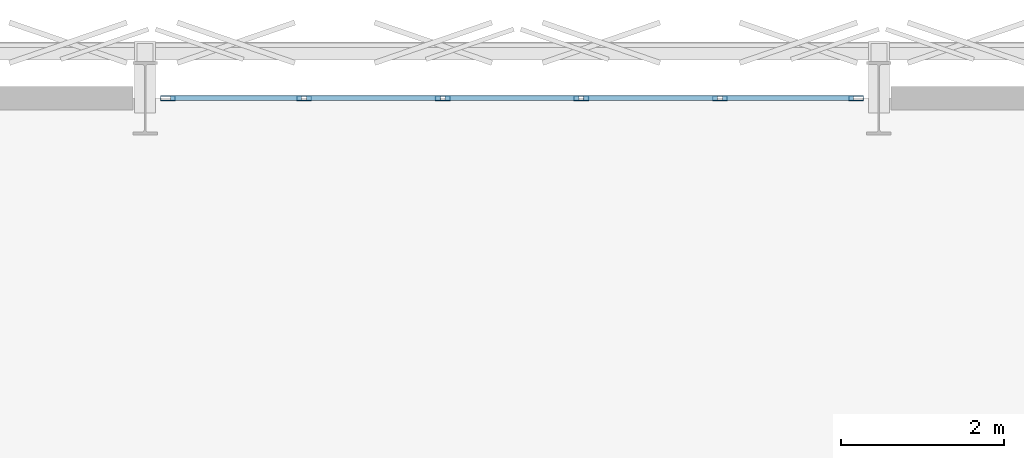
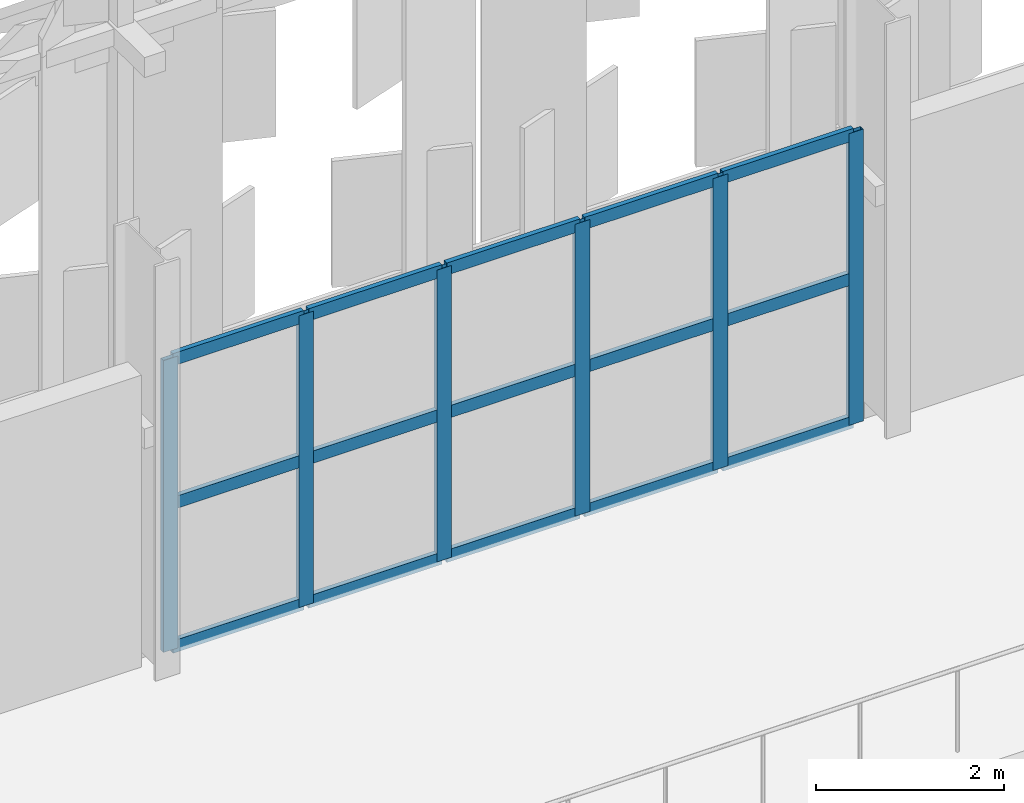
# One storey, part 81 of 210: 21 members, 1 element without a shape of its own.
"""IFC4 building model written with IfcOpenShell, lengths in metres."""

from ifc_helpers import new_model, si_unit, direction, frame, origin, origin_2d, place, context, subcontext, project, spatial, hollow_rectangle, extrude, material, material_profile, profile_set, type_object, element, aggregate, save


model = new_model("IFC4")

# Units and contexts
model_context = context("Model", 3, precision=1e-05, world=origin(), true_north=direction((0.0, 1.0)))
body_context = subcontext(model_context, "Body", "Model", "MODEL_VIEW")
ifc_project = project(units=[si_unit("LENGTHUNIT", "METRE"), si_unit("AREAUNIT", "SQUARE_METRE"), si_unit("VOLUMEUNIT", "CUBIC_METRE"), si_unit("PLANEANGLEUNIT", "RADIAN"), si_unit("MASSUNIT", "GRAM", prefix="KILO")], contexts=[model_context])

# Site, building, storey
site_placement = place(None, origin())
site = spatial("IfcSite", under=ifc_project, at=site_placement, CompositionType="ELEMENT")
building_placement = place(site_placement, origin())
building = spatial("IfcBuilding", under=site, at=building_placement, Name="Kaldris Quays Convention Centre", CompositionType="ELEMENT")
storey_placement = place(building_placement, frame((0.0, 0.0, 6.0)))
storey = spatial("IfcBuildingStorey", under=building, at=storey_placement, Name="L01", CompositionType="ELEMENT", Elevation=6.0)

# Curtain wall, members
ifc_material_1 = material(Name="Anodized aluminium AW-6060 and triple glazing", Category="aluminium")
curtain_wall_type = type_object("IfcCurtainWallType", Name="UNITISED CURTAIN WALL CW05", PredefinedType="NOTDEFINED", material=ifc_material_1)
curtain_wall_placement = place(storey_placement, origin())
curtain_wall = element("IfcCurtainWall", 1, at=curtain_wall_placement, inside=storey, type_object=curtain_wall_type, Name="L01 Unitised Curtain Wall CW05 6", PredefinedType="NOTDEFINED")
ifc_material_2 = material(Name="Anodized aluminium AW-6060", Category="aluminium")
ifc_material_profile_1 = material_profile(ifc_material_2, hollow_rectangle(XDim=0.06005859375, YDim=0.179931640625, WallThickness=0.0048828125, at=origin_2d()), Name="RHS 180x60x5")
ifc_profile_set_1 = profile_set([ifc_material_profile_1], Name="Anodized aluminium AW-6060")
member_type_1 = type_object("IfcMemberType", Name="CURTAIN MULLION CWM2", PredefinedType="MULLION", material=ifc_profile_set_1)
member_1_placement = place(storey_placement, frame((65.280029296875, 140.0, 0.0), z_axis=(0.0, 0.0, 1.0), x_axis=(0.0, 1.0, 0.0)))
member_1 = element("IfcMember", 2, at=member_1_placement, type_object=member_type_1, Name="CW05 mullion 1", PredefinedType="MULLION", context=body_context, shape_type="SweptSolid", body=[
    extrude(hollow_rectangle(XDim=0.06005859375, YDim=0.179931640625, WallThickness=0.0048828125, at=origin_2d()), origin(), (0.0, 0.0, 1.0), 3.800048828125),
])
member_2_placement = place(storey_placement, frame((66.949951171875, 140.0, 0.0), z_axis=(0.0, 0.0, 1.0), x_axis=(0.0, 1.0, 0.0)))
member_2 = element("IfcMember", 3, at=member_2_placement, type_object=member_type_1, Name="CW05 mullion 2", PredefinedType="MULLION", context=body_context, shape_type="SweptSolid", body=[
    extrude(hollow_rectangle(XDim=0.06005859375, YDim=0.179931640625, WallThickness=0.0048828125, at=origin_2d()), origin(), (0.0, 0.0, 1.0), 3.800048828125),
])
member_3_placement = place(storey_placement, frame((68.64990234375, 140.0, 0.0), z_axis=(0.0, 0.0, 1.0), x_axis=(0.0, 1.0, 0.0)))
member_3 = element("IfcMember", 4, at=member_3_placement, type_object=member_type_1, Name="CW05 mullion 3", PredefinedType="MULLION", context=body_context, shape_type="SweptSolid", body=[
    extrude(hollow_rectangle(XDim=0.06005859375, YDim=0.179931640625, WallThickness=0.0048828125, at=origin_2d()), origin(), (0.0, 0.0, 1.0), 3.800048828125),
])
member_4_placement = place(storey_placement, frame((70.35009765625, 140.0, 0.0), z_axis=(0.0, 0.0, 1.0), x_axis=(0.0, 1.0, 0.0)))
member_4 = element("IfcMember", 5, at=member_4_placement, type_object=member_type_1, Name="CW05 mullion 4", PredefinedType="MULLION", context=body_context, shape_type="SweptSolid", body=[
    extrude(hollow_rectangle(XDim=0.06005859375, YDim=0.179931640625, WallThickness=0.0048828125, at=origin_2d()), origin(), (0.0, 0.0, 1.0), 3.800048828125),
])
member_5_placement = place(storey_placement, frame((72.050048828125, 140.0, 0.0), z_axis=(0.0, 0.0, 1.0), x_axis=(0.0, 1.0, 0.0)))
member_5 = element("IfcMember", 6, at=member_5_placement, type_object=member_type_1, Name="CW05 mullion 5", PredefinedType="MULLION", context=body_context, shape_type="SweptSolid", body=[
    extrude(hollow_rectangle(XDim=0.06005859375, YDim=0.179931640625, WallThickness=0.0048828125, at=origin_2d()), origin(), (0.0, 0.0, 1.0), 3.800048828125),
])
member_6_placement = place(storey_placement, frame((73.719970703125, 140.0, 0.0), z_axis=(0.0, 0.0, 1.0), x_axis=(0.0, 1.0, 0.0)))
member_6 = element("IfcMember", 7, at=member_6_placement, type_object=member_type_1, Name="CW05 mullion 6", PredefinedType="MULLION", context=body_context, shape_type="SweptSolid", body=[
    extrude(hollow_rectangle(XDim=0.06005859375, YDim=0.179931640625, WallThickness=0.0048828125, at=origin_2d()), origin(), (0.0, 0.0, 1.0), 3.800048828125),
])
ifc_material_profile_2 = material_profile(ifc_material_2, hollow_rectangle(XDim=0.06005859375, YDim=0.159912109375, WallThickness=0.00390625, at=origin_2d()), Name="RHS 160x60x4")
ifc_profile_set_2 = profile_set([ifc_material_profile_2], Name="Anodized aluminium AW-6060")
member_type_2 = type_object("IfcMemberType", Name="CURTAIN TRANSOM CWT2", PredefinedType="USERDEFINED", material=ifc_profile_set_2)
member_7_placement = place(storey_placement, frame((65.31005859375, 140.0, 0.030029296875), z_axis=(1.0, 0.0, 0.0), x_axis=(0.0, 1.0, 0.0)))
member_7 = element("IfcMember", 8, at=member_7_placement, type_object=member_type_2, Name="CW05 transom 1.1", ObjectType="TRANSOM", PredefinedType="USERDEFINED", context=body_context, shape_type="SweptSolid", body=[
    extrude(hollow_rectangle(XDim=0.06005859375, YDim=0.159912109375, WallThickness=0.00390625, at=origin_2d()), origin(), (0.0, 0.0, 1.0), 1.60986328125),
])
member_8_placement = place(storey_placement, frame((65.31005859375, 140.0, 1.89990234375), z_axis=(1.0, 0.0, 0.0), x_axis=(0.0, 1.0, 0.0)))
member_8 = element("IfcMember", 9, at=member_8_placement, type_object=member_type_2, Name="CW05 transom 1.2", ObjectType="TRANSOM", PredefinedType="USERDEFINED", context=body_context, shape_type="SweptSolid", body=[
    extrude(hollow_rectangle(XDim=0.06005859375, YDim=0.159912109375, WallThickness=0.00390625, at=origin_2d()), origin(), (0.0, 0.0, 1.0), 1.60986328125),
])
member_9_placement = place(storey_placement, frame((65.31005859375, 140.0, 3.77001953125), z_axis=(1.0, 0.0, 0.0), x_axis=(0.0, 1.0, 0.0)))
member_9 = element("IfcMember", 10, at=member_9_placement, type_object=member_type_2, Name="CW05 transom 1.3", ObjectType="TRANSOM", PredefinedType="USERDEFINED", context=body_context, shape_type="SweptSolid", body=[
    extrude(hollow_rectangle(XDim=0.06005859375, YDim=0.159912109375, WallThickness=0.00390625, at=origin_2d()), origin(), (0.0, 0.0, 1.0), 1.60986328125),
])
member_10_placement = place(storey_placement, frame((66.97998046875, 140.0, 0.030029296875), z_axis=(1.0, 0.0, 0.0), x_axis=(0.0, 1.0, 0.0)))
member_10 = element("IfcMember", 11, at=member_10_placement, type_object=member_type_2, Name="CW05 transom 2.1", ObjectType="TRANSOM", PredefinedType="USERDEFINED", context=body_context, shape_type="SweptSolid", body=[
    extrude(hollow_rectangle(XDim=0.06005859375, YDim=0.159912109375, WallThickness=0.00390625, at=origin_2d()), origin(), (0.0, 0.0, 1.0), 1.64013671875),
])
member_11_placement = place(storey_placement, frame((66.97998046875, 140.0, 1.89990234375), z_axis=(1.0, 0.0, 0.0), x_axis=(0.0, 1.0, 0.0)))
member_11 = element("IfcMember", 12, at=member_11_placement, type_object=member_type_2, Name="CW05 transom 2.2", ObjectType="TRANSOM", PredefinedType="USERDEFINED", context=body_context, shape_type="SweptSolid", body=[
    extrude(hollow_rectangle(XDim=0.06005859375, YDim=0.159912109375, WallThickness=0.00390625, at=origin_2d()), origin(), (0.0, 0.0, 1.0), 1.64013671875),
])
member_12_placement = place(storey_placement, frame((66.97998046875, 140.0, 3.77001953125), z_axis=(1.0, 0.0, 0.0), x_axis=(0.0, 1.0, 0.0)))
member_12 = element("IfcMember", 13, at=member_12_placement, type_object=member_type_2, Name="CW05 transom 2.3", ObjectType="TRANSOM", PredefinedType="USERDEFINED", context=body_context, shape_type="SweptSolid", body=[
    extrude(hollow_rectangle(XDim=0.06005859375, YDim=0.159912109375, WallThickness=0.00390625, at=origin_2d()), origin(), (0.0, 0.0, 1.0), 1.64013671875),
])
member_13_placement = place(storey_placement, frame((68.679931640625, 140.0, 0.030029296875), z_axis=(1.0, 0.0, 0.0), x_axis=(0.0, 1.0, 0.0)))
member_13 = element("IfcMember", 14, at=member_13_placement, type_object=member_type_2, Name="CW05 transom 3.1", ObjectType="TRANSOM", PredefinedType="USERDEFINED", context=body_context, shape_type="SweptSolid", body=[
    extrude(hollow_rectangle(XDim=0.06005859375, YDim=0.159912109375, WallThickness=0.00390625, at=origin_2d()), origin(), (0.0, 0.0, 1.0), 1.64013671875),
])
member_14_placement = place(storey_placement, frame((68.679931640625, 140.0, 1.89990234375), z_axis=(1.0, 0.0, 0.0), x_axis=(0.0, 1.0, 0.0)))
member_14 = element("IfcMember", 15, at=member_14_placement, type_object=member_type_2, Name="CW05 transom 3.2", ObjectType="TRANSOM", PredefinedType="USERDEFINED", context=body_context, shape_type="SweptSolid", body=[
    extrude(hollow_rectangle(XDim=0.06005859375, YDim=0.159912109375, WallThickness=0.00390625, at=origin_2d()), origin(), (0.0, 0.0, 1.0), 1.64013671875),
])
member_15_placement = place(storey_placement, frame((68.679931640625, 140.0, 3.77001953125), z_axis=(1.0, 0.0, 0.0), x_axis=(0.0, 1.0, 0.0)))
member_15 = element("IfcMember", 16, at=member_15_placement, type_object=member_type_2, Name="CW05 transom 3.3", ObjectType="TRANSOM", PredefinedType="USERDEFINED", context=body_context, shape_type="SweptSolid", body=[
    extrude(hollow_rectangle(XDim=0.06005859375, YDim=0.159912109375, WallThickness=0.00390625, at=origin_2d()), origin(), (0.0, 0.0, 1.0), 1.64013671875),
])
member_16_placement = place(storey_placement, frame((70.3798828125, 140.0, 0.030029296875), z_axis=(1.0, 0.0, 0.0), x_axis=(0.0, 1.0, 0.0)))
member_16 = element("IfcMember", 17, at=member_16_placement, type_object=member_type_2, Name="CW05 transom 4.1", ObjectType="TRANSOM", PredefinedType="USERDEFINED", context=body_context, shape_type="SweptSolid", body=[
    extrude(hollow_rectangle(XDim=0.06005859375, YDim=0.159912109375, WallThickness=0.00390625, at=origin_2d()), origin(), (0.0, 0.0, 1.0), 1.64013671875),
])
member_17_placement = place(storey_placement, frame((70.3798828125, 140.0, 1.89990234375), z_axis=(1.0, 0.0, 0.0), x_axis=(0.0, 1.0, 0.0)))
member_17 = element("IfcMember", 18, at=member_17_placement, type_object=member_type_2, Name="CW05 transom 4.2", ObjectType="TRANSOM", PredefinedType="USERDEFINED", context=body_context, shape_type="SweptSolid", body=[
    extrude(hollow_rectangle(XDim=0.06005859375, YDim=0.159912109375, WallThickness=0.00390625, at=origin_2d()), origin(), (0.0, 0.0, 1.0), 1.64013671875),
])
member_18_placement = place(storey_placement, frame((70.3798828125, 140.0, 3.77001953125), z_axis=(1.0, 0.0, 0.0), x_axis=(0.0, 1.0, 0.0)))
member_18 = element("IfcMember", 19, at=member_18_placement, type_object=member_type_2, Name="CW05 transom 4.3", ObjectType="TRANSOM", PredefinedType="USERDEFINED", context=body_context, shape_type="SweptSolid", body=[
    extrude(hollow_rectangle(XDim=0.06005859375, YDim=0.159912109375, WallThickness=0.00390625, at=origin_2d()), origin(), (0.0, 0.0, 1.0), 1.64013671875),
])
member_19_placement = place(storey_placement, frame((72.080078125, 140.0, 0.030029296875), z_axis=(1.0, 0.0, 0.0), x_axis=(0.0, 1.0, 0.0)))
member_19 = element("IfcMember", 20, at=member_19_placement, type_object=member_type_2, Name="CW05 transom 5.1", ObjectType="TRANSOM", PredefinedType="USERDEFINED", context=body_context, shape_type="SweptSolid", body=[
    extrude(hollow_rectangle(XDim=0.06005859375, YDim=0.159912109375, WallThickness=0.00390625, at=origin_2d()), origin(), (0.0, 0.0, 1.0), 1.60986328125),
])
member_20_placement = place(storey_placement, frame((72.080078125, 140.0, 1.89990234375), z_axis=(1.0, 0.0, 0.0), x_axis=(0.0, 1.0, 0.0)))
member_20 = element("IfcMember", 21, at=member_20_placement, type_object=member_type_2, Name="CW05 transom 5.2", ObjectType="TRANSOM", PredefinedType="USERDEFINED", context=body_context, shape_type="SweptSolid", body=[
    extrude(hollow_rectangle(XDim=0.06005859375, YDim=0.159912109375, WallThickness=0.00390625, at=origin_2d()), origin(), (0.0, 0.0, 1.0), 1.60986328125),
])
member_21_placement = place(storey_placement, frame((72.080078125, 140.0, 3.77001953125), z_axis=(1.0, 0.0, 0.0), x_axis=(0.0, 1.0, 0.0)))
member_21 = element("IfcMember", 22, at=member_21_placement, type_object=member_type_2, Name="CW05 transom 5.3", ObjectType="TRANSOM", PredefinedType="USERDEFINED", context=body_context, shape_type="SweptSolid", body=[
    extrude(hollow_rectangle(XDim=0.06005859375, YDim=0.159912109375, WallThickness=0.00390625, at=origin_2d()), origin(), (0.0, 0.0, 1.0), 1.60986328125),
])
aggregate(curtain_wall, [member_1, member_2, member_3, member_4, member_5, member_6, member_7, member_8, member_9, member_10, member_11, member_12, member_13, member_14, member_15, member_16, member_17, member_18, member_19, member_20, member_21])

save(model, "model.ifc")
